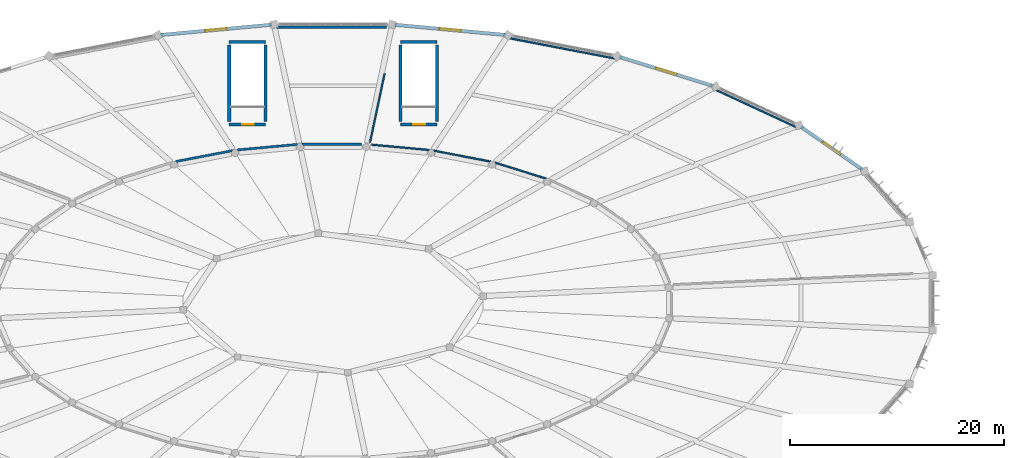
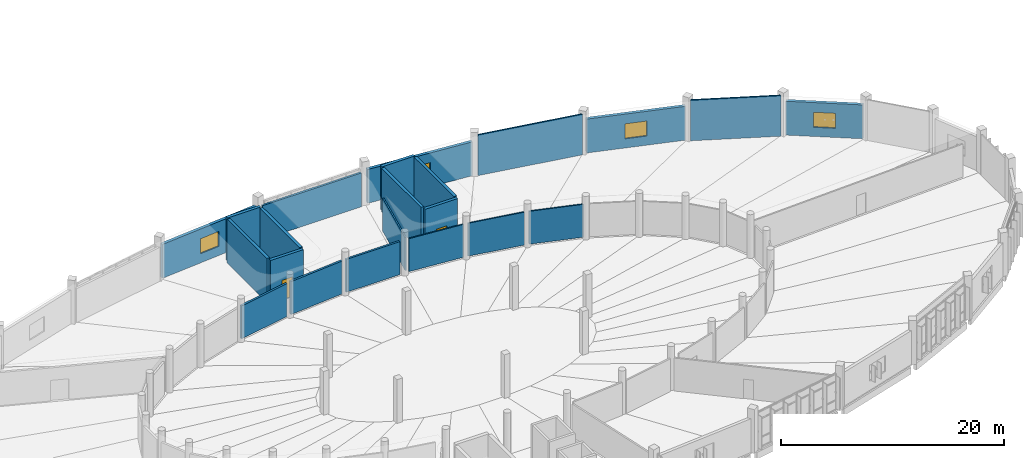
# One storey, part 131 of 179: 22 walls, 4 windows, 2 doors, 6 openings.
"""IFC4 building model written with IfcOpenShell, lengths in metres."""

from ifc_helpers import new_model, si_unit, direction, frame, frame_2d, origin, place, context, subcontext, project, spatial, rectangle, extrude, material, layer, layer_set, type_object, element, fill, save


model = new_model("IFC4")

# Units and contexts
model_context = context("Model", 3, precision=1e-05, world=origin(), true_north=direction((0.0, 1.0)))
body_context = subcontext(model_context, "Body", "Model", "MODEL_VIEW")
ifc_project = project(units=[si_unit("LENGTHUNIT", "METRE"), si_unit("AREAUNIT", "SQUARE_METRE"), si_unit("VOLUMEUNIT", "CUBIC_METRE"), si_unit("PLANEANGLEUNIT", "RADIAN"), si_unit("MASSUNIT", "GRAM", prefix="KILO")], contexts=[model_context])

# Site, building, storey
site_placement = place(None, origin())
site = spatial("IfcSite", under=ifc_project, at=site_placement, CompositionType="ELEMENT")
building_placement = place(site_placement, origin())
building = spatial("IfcBuilding", under=site, at=building_placement, Name="Corvandel Quay Wholesale Market", CompositionType="ELEMENT")
storey_placement = place(building_placement, frame((0.0, 0.0, 6.0)))
storey = spatial("IfcBuildingStorey", under=building, at=storey_placement, Name="L01", CompositionType="ELEMENT", Elevation=6.0)

# Walls
ifc_material_1 = material(Name="Gypsum-clad steel stud framing", Category="steel")
ifc_layer_1 = layer(ifc_material_1, 0.2099609375)
ifc_layer_set_1 = layer_set([ifc_layer_1], Name="Gypsum-clad steel stud framing")
wall_type_1 = type_object("IfcWallType", Name="Corridor Rated Partition PT02 210", PredefinedType="PARTITIONING", material=ifc_layer_set_1)
wall_1_placement = place(storey_placement, frame((108.716064453125, 141.739990234375, 0.0), z_axis=(0.0, 0.0, 1.0), x_axis=(1.0, 0.0, 0.0)))
element("IfcWall", 1, at=wall_1_placement, inside=storey, type_object=wall_type_1, Name="Interior Wall IW-0625", PredefinedType="PARTITIONING", context=body_context, shape_type="SweptSolid", body=[
    extrude(rectangle(XDim=10.259033203125, YDim=0.2099609375, at=frame_2d((5.12939453125, 0.0))), origin(), (0.0, 0.0, 1.0), 3.7099609375),
])
wall_2_placement = place(storey_placement, frame((116.657958984375, 130.820068359375, 0.0), z_axis=(0.0, 0.0, 1.0), x_axis=(-0.999999984508, -0.000176025345, 0.0)))
element("IfcWall", 2, at=wall_2_placement, inside=storey, type_object=wall_type_1, Name="Interior Wall IW-0626", PredefinedType="PARTITIONING", context=body_context, shape_type="SweptSolid", body=[
    extrude(rectangle(XDim=5.5478515625, YDim=0.2099609375, at=frame_2d((2.77392578125, 0.0))), origin(), (0.0, 0.0, 1.0), 3.610107421875),
])
wall_3_placement = place(storey_placement, frame((110.6708984375, 130.798828125, 0.0), z_axis=(0.0, 0.0, 1.0), x_axis=(-0.995758517057, -0.092005302605, 0.0)))
element("IfcWall", 3, at=wall_3_placement, inside=storey, type_object=wall_type_1, Name="Interior Wall IW-0627", PredefinedType="PARTITIONING", context=body_context, shape_type="SweptSolid", body=[
    extrude(rectangle(XDim=5.646728515625, YDim=0.2099609375, at=frame_2d((2.8232421875, 0.0))), origin(), (0.0, 0.0, 1.0), 3.610107421875),
])
wall_4_placement = place(storey_placement, frame((104.61279296875, 130.217529296875, 0.0), z_axis=(0.0, 0.0, 1.0), x_axis=(-0.982051585192, -0.188612523501, 0.0)))
element("IfcWall", 4, at=wall_4_placement, inside=storey, type_object=wall_type_1, Name="Interior Wall IW-0628", PredefinedType="PARTITIONING", context=body_context, shape_type="SweptSolid", body=[
    extrude(rectangle(XDim=5.397705078125, YDim=0.2099609375, at=frame_2d((2.69873046875, 0.0))), origin(), (0.0, 0.0, 1.0), 3.610107421875),
])

# Wall, opening, window
ifc_material_2 = material(Name="Marine precast concrete C45/55", Category="concrete")
ifc_layer_2 = layer(ifc_material_2, 0.31005859375)
ifc_layer_set_2 = layer_set([ifc_layer_2], Name="Marine precast concrete C45/55")
wall_type_2 = type_object("IfcWallType", Name="Fish Hall Marine Precast Wall EW06 310", PredefinedType="SOLIDWALL", material=ifc_layer_set_2)
wall_5_placement = place(storey_placement, frame((163.429931640625, 128.452880859375, 0.0), z_axis=(0.0, 0.0, 1.0), x_axis=(-0.821263481182, 0.57054911662, 0.0)))
wall_5 = element("IfcWall", 5, at=wall_5_placement, inside=storey, type_object=wall_type_2, Name="Exterior Wall EW-0094", PredefinedType="SOLIDWALL", context=body_context, shape_type="SweptSolid", body=[
    extrude(rectangle(XDim=6.98291015625, YDim=0.31005859375, at=frame_2d((3.491455078125, 0.0))), origin(), (0.0, 0.0, 1.0), 3.7099609375),
])
opening_1_placement = place(wall_5_placement, frame((2.490966796875, 0.0, 1.0)))
opening_1 = element("IfcOpeningElement", 6, at=opening_1_placement, cuts=wall_5, Name="Opening L01-W030", PredefinedType="OPENING", context=body_context, shape_type="SweptSolid", body=[
    extrude(rectangle(XDim=2.0, YDim=1.64990234375, at=frame_2d((1.0, 0.824951171875))), frame((0.0, 0.1650390625, 0.0), z_axis=(0.0, -1.0, 0.0), x_axis=(1.0, 0.0, 0.0)), (0.0, 0.0, 1.0), 0.330078125),
])
ifc_material_3 = material(Name="Thermally broken bronze anodised aluminium and solar-control low-E double glazing", Category="aluminium")
window_type = type_object("IfcWindowType", Name="Phytosanitary Lab Window WN08 2000x1650", PartitioningType="SINGLE_PANEL", PredefinedType="WINDOW", material=ifc_material_3)
window_1_placement = place(opening_1_placement, origin())
window_1 = element("IfcWindow", 7, at=window_1_placement, inside=storey, type_object=window_type, Name="Window L01-W030", OverallHeight=1.64990234375, OverallWidth=2.0, PartitioningType="SINGLE_PANEL", PredefinedType="WINDOW", context=body_context, shape_type="SweptSolid", body=[
    extrude(rectangle(XDim=2.0, YDim=1.64990234375, at=frame_2d((1.0, 0.824951171875))), frame((0.0, 0.030029296875, 0.0), z_axis=(0.0, -1.0, 0.0), x_axis=(1.0, 0.0, 0.0)), (0.0, 0.0, 1.0), 0.06005859375),
])
fill(opening_1, window_1)

wall_6_placement = place(storey_placement, frame((149.46875, 136.26708984375, 0.0), z_axis=(0.0, 0.0, 1.0), x_axis=(-0.955105922322, 0.296264539128, 0.0)))
wall_6 = element("IfcWall", 8, at=wall_6_placement, inside=storey, type_object=wall_type_2, Name="Exterior Wall EW-0098", PredefinedType="SOLIDWALL", context=body_context, shape_type="SweptSolid", body=[
    extrude(rectangle(XDim=9.123291015625, YDim=0.31005859375, at=frame_2d((4.5615234375, 0.0))), origin(), (0.0, 0.0, 1.0), 3.7099609375),
])
opening_2_placement = place(wall_6_placement, frame((3.56201171875, 0.0, 1.0)))
opening_2 = element("IfcOpeningElement", 9, at=opening_2_placement, cuts=wall_6, Name="Opening L01-W031", PredefinedType="OPENING", context=body_context, shape_type="SweptSolid", body=[
    extrude(rectangle(XDim=2.0, YDim=1.64990234375, at=frame_2d((1.0, 0.824951171875))), frame((0.0, 0.1650390625, 0.0), z_axis=(0.0, -1.0, 0.0), x_axis=(1.0, 0.0, 0.0)), (0.0, 0.0, 1.0), 0.330078125),
])
window_2_placement = place(opening_2_placement, origin())
window_2 = element("IfcWindow", 10, at=window_2_placement, inside=storey, type_object=window_type, Name="Window L01-W031", OverallHeight=1.64990234375, OverallWidth=2.0, PartitioningType="SINGLE_PANEL", PredefinedType="WINDOW", context=body_context, shape_type="SweptSolid", body=[
    extrude(rectangle(XDim=2.0, YDim=1.64990234375, at=frame_2d((1.0, 0.824951171875))), frame((0.0, 0.030029296875, 0.0), z_axis=(0.0, -1.0, 0.0), x_axis=(1.0, 0.0, 0.0)), (0.0, 0.0, 1.0), 0.06005859375),
])
fill(opening_2, window_2)

wall_7_placement = place(storey_placement, frame((130.095947265625, 141.023193359375, 0.0), z_axis=(0.0, 0.0, 1.0), x_axis=(-0.995766414187, 0.091919793174, 0.0)))
wall_7 = element("IfcWall", 11, at=wall_7_placement, inside=storey, type_object=wall_type_2, Name="Exterior Wall EW-0102", PredefinedType="SOLIDWALL", context=body_context, shape_type="SweptSolid", body=[
    extrude(rectangle(XDim=10.385009765625, YDim=0.31005859375, at=frame_2d((5.1923828125, 0.0))), origin(), (0.0, 0.0, 1.0), 3.7099609375),
])
opening_3_placement = place(wall_7_placement, frame((4.19189453125, 0.0, 1.0)))
opening_3 = element("IfcOpeningElement", 12, at=opening_3_placement, cuts=wall_7, Name="Opening L01-W032", PredefinedType="OPENING", context=body_context, shape_type="SweptSolid", body=[
    extrude(rectangle(XDim=2.0, YDim=1.64990234375, at=frame_2d((1.0, 0.824951171875))), frame((0.0, 0.1650390625, 0.0), z_axis=(0.0, -1.0, 0.0), x_axis=(1.0, 0.0, 0.0)), (0.0, 0.0, 1.0), 0.330078125),
])
window_3_placement = place(opening_3_placement, origin())
window_3 = element("IfcWindow", 13, at=window_3_placement, inside=storey, type_object=window_type, Name="Window L01-W032", OverallHeight=1.64990234375, OverallWidth=2.0, PartitioningType="SINGLE_PANEL", PredefinedType="WINDOW", context=body_context, shape_type="SweptSolid", body=[
    extrude(rectangle(XDim=2.0, YDim=1.64990234375, at=frame_2d((1.0, 0.824951171875))), frame((0.0, 0.030029296875, 0.0), z_axis=(0.0, -1.0, 0.0), x_axis=(1.0, 0.0, 0.0)), (0.0, 0.0, 1.0), 0.06005859375),
])
fill(opening_3, window_3)

wall_8_placement = place(storey_placement, frame((108.2451171875, 141.977783203125, 0.0), z_axis=(0.0, 0.0, 1.0), x_axis=(-0.995766414187, -0.091919793174, 0.0)))
wall_8 = element("IfcWall", 14, at=wall_8_placement, inside=storey, type_object=wall_type_2, Name="Exterior Wall EW-0106", PredefinedType="SOLIDWALL", context=body_context, shape_type="SweptSolid", body=[
    extrude(rectangle(XDim=10.385009765625, YDim=0.31005859375, at=frame_2d((5.1923828125, 0.0))), origin(), (0.0, 0.0, 1.0), 3.7099609375),
])
opening_4_placement = place(wall_8_placement, frame((4.19189453125, 0.0, 1.0)))
opening_4 = element("IfcOpeningElement", 15, at=opening_4_placement, cuts=wall_8, Name="Opening L01-W033", PredefinedType="OPENING", context=body_context, shape_type="SweptSolid", body=[
    extrude(rectangle(XDim=2.0, YDim=1.64990234375, at=frame_2d((1.0, 0.824951171875))), frame((0.0, 0.1650390625, 0.0), z_axis=(0.0, -1.0, 0.0), x_axis=(1.0, 0.0, 0.0)), (0.0, 0.0, 1.0), 0.330078125),
])
window_4_placement = place(opening_4_placement, origin())
window_4 = element("IfcWindow", 16, at=window_4_placement, inside=storey, type_object=window_type, Name="Window L01-W033", OverallHeight=1.64990234375, OverallWidth=2.0, PartitioningType="SINGLE_PANEL", PredefinedType="WINDOW", context=body_context, shape_type="SweptSolid", body=[
    extrude(rectangle(XDim=2.0, YDim=1.64990234375, at=frame_2d((1.0, 0.824951171875))), frame((0.0, 0.030029296875, 0.0), z_axis=(0.0, -1.0, 0.0), x_axis=(1.0, 0.0, 0.0)), (0.0, 0.0, 1.0), 0.06005859375),
])
fill(opening_4, window_4)

# Walls
ifc_material_4 = material(Name="Double-layer acoustic gypsum stud partition")
ifc_layer_3 = layer(ifc_material_4, 0.139892578125)
ifc_layer_set_3 = layer_set([ifc_layer_3], Name="Double-layer acoustic gypsum stud partition")
wall_type_3 = type_object("IfcWallType", Name="Office Acoustic Partition PT07 140", PredefinedType="PARTITIONING", material=ifc_layer_set_3)
wall_9_placement = place(storey_placement, frame((133.886962890625, 127.611083984375, 0.0), z_axis=(0.0, 0.0, 1.0), x_axis=(-0.955039813993, 0.29647757704, 0.0)))
element("IfcWall", 17, at=wall_9_placement, inside=storey, type_object=wall_type_3, Name="Interior Wall IW-0615", PredefinedType="PARTITIONING", context=body_context, shape_type="SweptSolid", body=[
    extrude(rectangle(XDim=4.99755859375, YDim=0.139892578125, at=frame_2d((2.498779296875, 0.0))), origin(), (0.0, 0.0, 1.0), 3.610107421875),
])
wall_10_placement = place(storey_placement, frame((128.68798828125, 129.199462890625, 0.0), z_axis=(0.0, 0.0, 1.0), x_axis=(-0.982008714421, 0.188835602579, 0.0)))
element("IfcWall", 18, at=wall_10_placement, inside=storey, type_object=wall_type_3, Name="Interior Wall IW-0616", PredefinedType="PARTITIONING", context=body_context, shape_type="SweptSolid", body=[
    extrude(rectangle(XDim=5.375732421875, YDim=0.139892578125, at=frame_2d((2.68798828125, 0.0))), origin(), (0.0, 0.0, 1.0), 3.610107421875),
])
wall_11_placement = place(storey_placement, frame((122.973876953125, 130.2763671875, 0.0), z_axis=(0.0, 0.0, 1.0), x_axis=(-0.995742141485, 0.092182360956, 0.0)))
element("IfcWall", 19, at=wall_11_placement, inside=storey, type_object=wall_type_3, Name="Interior Wall IW-0617", PredefinedType="PARTITIONING", context=body_context, shape_type="SweptSolid", body=[
    extrude(rectangle(XDim=5.373779296875, YDim=0.139892578125, at=frame_2d((2.68701171875, 0.0))), origin(), (0.0, 0.0, 1.0), 3.610107421875),
])
wall_12_placement = place(storey_placement, frame((117.44970703125, 131.007080078125, 0.0), z_axis=(0.0, 0.0, 1.0), x_axis=(0.207500955247, 0.97823481515, 0.0)))
element("IfcWall", 20, at=wall_12_placement, inside=storey, type_object=wall_type_3, Name="Interior Wall IW-0618", PredefinedType="PARTITIONING", context=body_context, shape_type="SweptSolid", body=[
    extrude(rectangle(XDim=6.52880859375, YDim=0.139892578125, at=frame_2d((3.264404296875, 0.0))), origin(), (0.0, 0.0, 1.0), 3.610107421875),
])
wall_13_placement = place(storey_placement, frame((130.513916015625, 140.701416015625, 0.0), z_axis=(0.0, 0.0, 1.0), x_axis=(0.982005217115, -0.188853788838, 0.0)))
element("IfcWall", 21, at=wall_13_placement, inside=storey, type_object=wall_type_3, Name="Interior Wall IW-0619", PredefinedType="PARTITIONING", context=body_context, shape_type="SweptSolid", body=[
    extrude(rectangle(XDim=9.91162109375, YDim=0.139892578125, at=frame_2d((4.955810546875, 0.0))), origin(), (0.0, 0.0, 1.0), 4.4599609375),
])
wall_14_placement = place(storey_placement, frame((149.803466796875, 135.8603515625, 0.0), z_axis=(0.0, 0.0, 1.0), x_axis=(0.906998714148, -0.421133390429, 0.0)))
element("IfcWall", 22, at=wall_14_placement, inside=storey, type_object=wall_type_3, Name="Interior Wall IW-0620", PredefinedType="PARTITIONING", context=body_context, shape_type="SweptSolid", body=[
    extrude(rectangle(XDim=8.1201171875, YDim=0.139892578125, at=frame_2d((4.06005859375, 0.0))), origin(), (0.0, 0.0, 1.0), 4.4599609375),
])

# Wall, opening, door
ifc_material_5 = material(Name="Concrete C40/50", Category="concrete")
ifc_layer_4 = layer(ifc_material_5, 0.300048828125)
ifc_layer_set_4 = layer_set([ifc_layer_4], Name="Concrete C40/50")
wall_type_4 = type_object("IfcWallType", Name="Stair Shaft Shear Wall SW02 300", PredefinedType="SHEAR", material=ifc_layer_set_4)
wall_15_placement = place(storey_placement, frame((104.300048828125, 132.64990234375, 0.0), z_axis=(0.0, 0.0, 1.0), x_axis=(1.0, 0.0, 0.0)))
wall_15 = element("IfcWall", 23, at=wall_15_placement, inside=storey, type_object=wall_type_4, Name="Shear Wall IW-0065", PredefinedType="SHEAR", context=body_context, shape_type="SweptSolid", body=[
    extrude(rectangle(XDim=3.39990234375, YDim=0.300048828125, at=frame_2d((1.699951171875, 0.0))), origin(), (0.0, 0.0, 1.0), 4.800048828125),
])
opening_5_placement = place(wall_15_placement, frame((1.199951171875, 0.0, 0.0)))
opening_5 = element("IfcOpeningElement", 24, at=opening_5_placement, cuts=wall_15, Name="Opening L01-D007", PredefinedType="OPENING", context=body_context, shape_type="SweptSolid", body=[
    extrude(rectangle(XDim=1.10009765625, YDim=2.199951171875, at=frame_2d((0.550048828125, 1.10009765625))), frame((0.0, 0.159912109375, 0.0), z_axis=(0.0, -1.0, 0.0), x_axis=(1.0, 0.0, 0.0)), (0.0, 0.0, 1.0), 0.320068359375),
])
ifc_material_6 = material(Name="Galvanised fire-rated hollow steel", Category="steel")
door_type = type_object("IfcDoorType", Name="Exit Stair Fire Door ID01 1100x2200L", OperationType="SINGLE_SWING_LEFT", PredefinedType="DOOR", material=ifc_material_6)
door_1_placement = place(opening_5_placement, origin())
door_1 = element("IfcDoor", 25, at=door_1_placement, inside=storey, type_object=door_type, Name="Exit Stair Door SH06-L01", OperationType="SINGLE_SWING_LEFT", OverallHeight=2.199951171875, OverallWidth=1.10009765625, PredefinedType="DOOR", context=body_context, shape_type="SweptSolid", body=[
    extrude(rectangle(XDim=1.10009765625, YDim=2.199951171875, at=frame_2d((0.550048828125, 1.10009765625))), frame((0.0, 0.02490234375, 0.0), z_axis=(0.0, -1.0, 0.0), x_axis=(1.0, 0.0, 0.0)), (0.0, 0.0, 1.0), 0.050048828125),
])
fill(opening_5, door_1)

# Walls
wall_16_placement = place(storey_placement, frame((104.300048828125, 140.35009765625, 0.0), z_axis=(0.0, 0.0, 1.0), x_axis=(1.0, 0.0, 0.0)))
element("IfcWall", 26, at=wall_16_placement, inside=storey, type_object=wall_type_4, Name="Shear Wall IW-0066", PredefinedType="SHEAR", context=body_context, shape_type="SweptSolid", body=[
    extrude(rectangle(XDim=3.39990234375, YDim=0.300048828125, at=frame_2d((1.699951171875, 0.0))), origin(), (0.0, 0.0, 1.0), 4.800048828125),
])
for number, where, z_axis, x_axis, name in (
    (27, (104.300048828125, 132.93994140625, 0.0), (0.0, 0.0, 1.0), (0.0, 1.0, 0.0), "Shear Wall IW-0067"),
    (28, (107.699951171875, 132.93994140625, 0.0), (0.0, 0.0, 1.0), (0.0, 1.0, 0.0), "Shear Wall IW-0068"),
):
    element("IfcWall", number, at=place(storey_placement, frame(where, z_axis=z_axis, x_axis=x_axis)), inside=storey, type_object=wall_type_4, Name=name, PredefinedType="SHEAR", context=body_context, shape_type="SweptSolid", body=[
        extrude(rectangle(XDim=7.1201171875, YDim=0.300048828125, at=frame_2d((3.56005859375, 0.0))), origin(), (0.0, 0.0, 1.0), 4.800048828125),
    ])

# Wall, opening, door
wall_17_placement = place(storey_placement, frame((120.300048828125, 132.64990234375, 0.0), z_axis=(0.0, 0.0, 1.0), x_axis=(1.0, 0.0, 0.0)))
wall_17 = element("IfcWall", 29, at=wall_17_placement, inside=storey, type_object=wall_type_4, Name="Shear Wall IW-0073", PredefinedType="SHEAR", context=body_context, shape_type="SweptSolid", body=[
    extrude(rectangle(XDim=3.39990234375, YDim=0.300048828125, at=frame_2d((1.699951171875, 0.0))), origin(), (0.0, 0.0, 1.0), 4.800048828125),
])
opening_6_placement = place(wall_17_placement, frame((1.199951171875, 0.0, 0.0)))
opening_6 = element("IfcOpeningElement", 30, at=opening_6_placement, cuts=wall_17, Name="Opening L01-D008", PredefinedType="OPENING", context=body_context, shape_type="SweptSolid", body=[
    extrude(rectangle(XDim=1.10009765625, YDim=2.199951171875, at=frame_2d((0.550048828125, 1.10009765625))), frame((0.0, 0.159912109375, 0.0), z_axis=(0.0, -1.0, 0.0), x_axis=(1.0, 0.0, 0.0)), (0.0, 0.0, 1.0), 0.320068359375),
])
door_2_placement = place(opening_6_placement, origin())
door_2 = element("IfcDoor", 31, at=door_2_placement, inside=storey, type_object=door_type, Name="Exit Stair Door SH07-L01", OperationType="SINGLE_SWING_LEFT", OverallHeight=2.199951171875, OverallWidth=1.10009765625, PredefinedType="DOOR", context=body_context, shape_type="SweptSolid", body=[
    extrude(rectangle(XDim=1.10009765625, YDim=2.199951171875, at=frame_2d((0.550048828125, 1.10009765625))), frame((0.0, 0.02490234375, 0.0), z_axis=(0.0, -1.0, 0.0), x_axis=(1.0, 0.0, 0.0)), (0.0, 0.0, 1.0), 0.050048828125),
])
fill(opening_6, door_2)

# Walls
wall_18_placement = place(storey_placement, frame((120.300048828125, 140.35009765625, 0.0), z_axis=(0.0, 0.0, 1.0), x_axis=(1.0, 0.0, 0.0)))
element("IfcWall", 32, at=wall_18_placement, inside=storey, type_object=wall_type_4, Name="Shear Wall IW-0074", PredefinedType="SHEAR", context=body_context, shape_type="SweptSolid", body=[
    extrude(rectangle(XDim=3.39990234375, YDim=0.300048828125, at=frame_2d((1.699951171875, 0.0))), origin(), (0.0, 0.0, 1.0), 4.800048828125),
])
for number, where, z_axis, x_axis, name in (
    (33, (120.300048828125, 132.93994140625, 0.0), (0.0, 0.0, 1.0), (0.0, 1.0, 0.0), "Shear Wall IW-0075"),
    (34, (123.699951171875, 132.93994140625, 0.0), (0.0, 0.0, 1.0), (0.0, 1.0, 0.0), "Shear Wall IW-0076"),
):
    element("IfcWall", number, at=place(storey_placement, frame(where, z_axis=z_axis, x_axis=x_axis)), inside=storey, type_object=wall_type_4, Name=name, PredefinedType="SHEAR", context=body_context, shape_type="SweptSolid", body=[
        extrude(rectangle(XDim=7.1201171875, YDim=0.300048828125, at=frame_2d((3.56005859375, 0.0))), origin(), (0.0, 0.0, 1.0), 4.800048828125),
    ])

save(model, "model.ifc")
